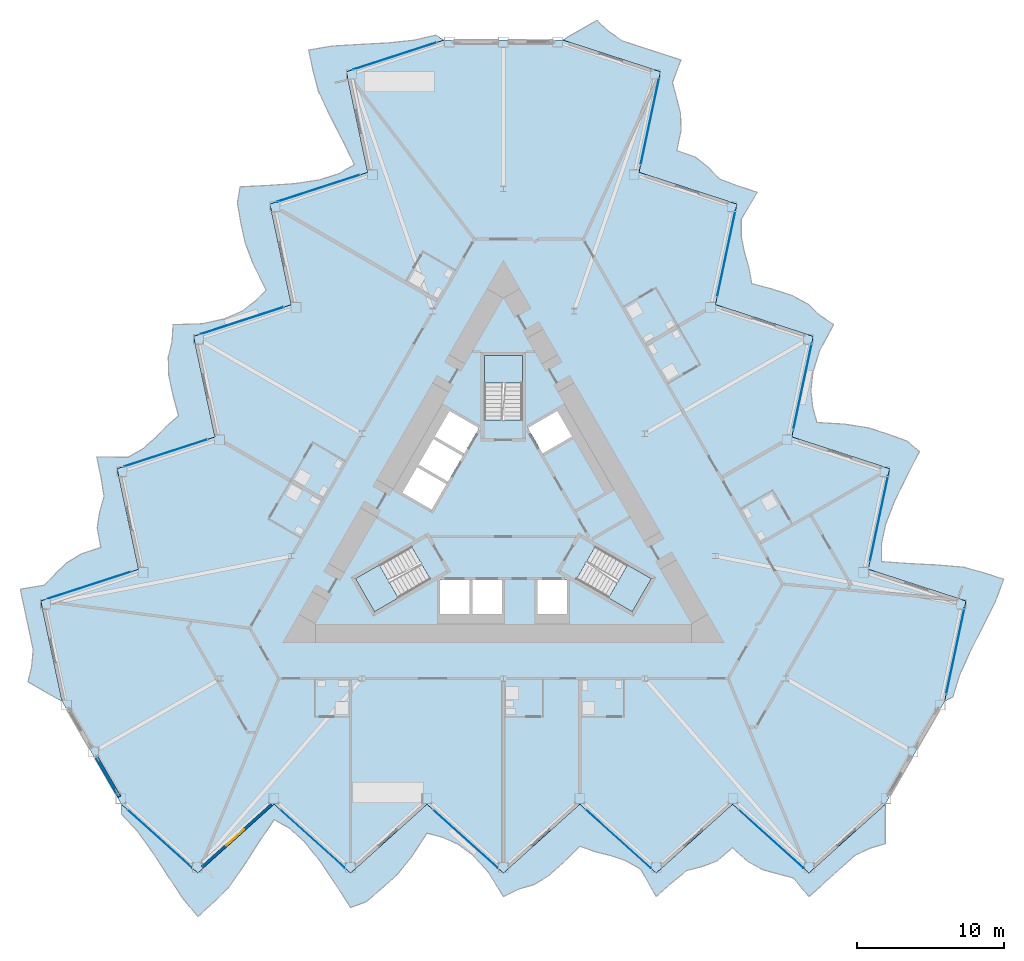
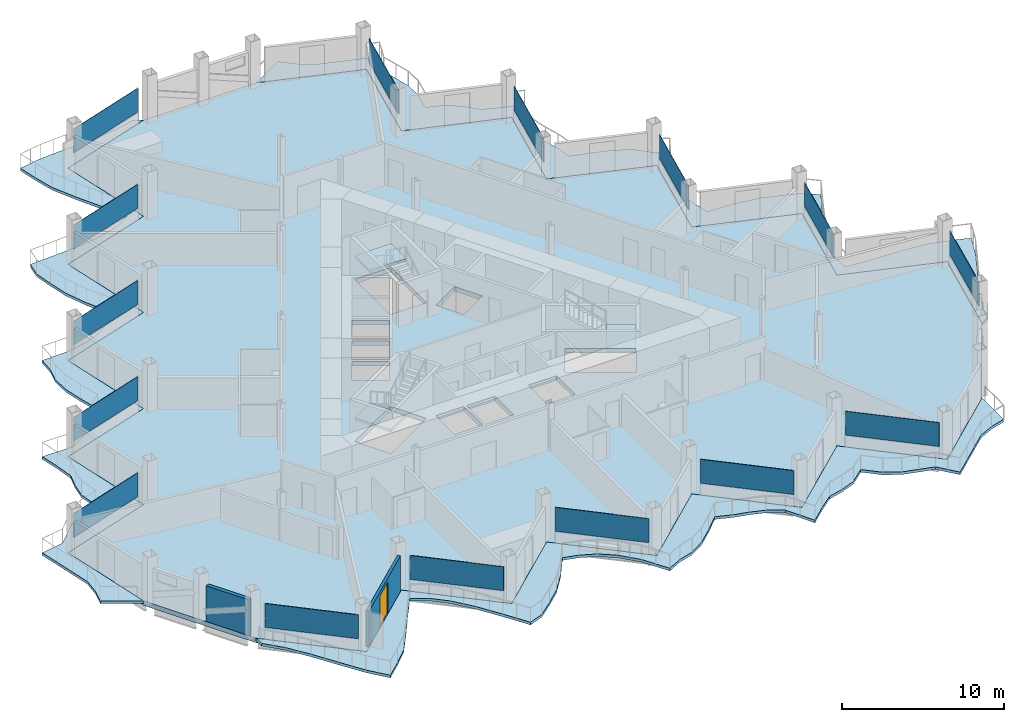
# One storey, part 10 of 23: 15 plates, 7 slabs, 2 walls, 1 door, 1 opening, 18 elements without a shape of their own.
"""IFC4 building model written with IfcOpenShell, lengths in metres."""

from ifc_helpers import new_model, si_unit, direction, frame, frame_2d, origin, origin_2d, place, context, subcontext, project, spatial, polyline, rectangle, outline, extrude, material, layer, layer_set, type_object, element, fill, aggregate, save


model = new_model("IFC4")

# Units and contexts
model_context = context("Model", 3, precision=1e-05, world=origin(), true_north=direction((0.0, 1.0)))
body_context = subcontext(model_context, "Body", "Model", "MODEL_VIEW")
ifc_project = project(units=[si_unit("LENGTHUNIT", "METRE"), si_unit("AREAUNIT", "SQUARE_METRE"), si_unit("VOLUMEUNIT", "CUBIC_METRE"), si_unit("PLANEANGLEUNIT", "RADIAN"), si_unit("MASSUNIT", "GRAM", prefix="KILO")], contexts=[model_context])

# Site, building, storey
site_placement = place(None, origin())
site = spatial("IfcSite", under=ifc_project, at=site_placement, CompositionType="ELEMENT")
building_placement = place(site_placement, origin())
building = spatial("IfcBuilding", under=site, at=building_placement, Name="Cormorant Prow Tower", CompositionType="ELEMENT")
storey_placement = place(building_placement, frame((0.0, 0.0, 259.800048828125)))
storey = spatial("IfcBuildingStorey", under=building, at=storey_placement, Name="L58", CompositionType="ELEMENT", Elevation=259.800048828125)

# Slabs
ifc_material_1 = material(Name="Concrete C40/50", Category="concrete")
ifc_layer_1 = layer(ifc_material_1, 0.199951171875)
ifc_layer_set_1 = layer_set([ifc_layer_1], Name="Concrete C40/50")
slab_type_1 = type_object("IfcSlabType", Name="Balcony slab 200", PredefinedType="FLOOR", material=ifc_layer_set_1)
slab_1_placement = place(storey_placement, frame((0.0, 0.0, -0.199951171875)))
element("IfcSlab", 1, at=slab_1_placement, inside=storey, type_object=slab_type_1, Name="Balcony slab S L58", PredefinedType="FLOOR", context=body_context, shape_type="SweptSolid", body=[
    extrude(outline(polyline([(-25.8974609375, -19.593505859375), (-25.8974609375, -20.243408203125), (-24.861572265625, -21.35888671875), (-23.82568359375, -22.7861328125), (-22.789794921875, -24.380859375), (-21.75390625, -25.949462890625), (-20.718017578125, -27.207275390625), (-19.68212890625, -26.2744140625), (-18.646240234375, -25.255615234375), (-17.6103515625, -23.767822265625), (-16.574462890625, -22.16064453125), (-15.53857421875, -20.630859375), (-14.502685546875, -21.21875), (-13.466796875, -22.15966796875), (-12.430908203125, -23.450927734375), (-11.39501953125, -24.98779296875), (-10.359130859375, -26.593994140625), (-9.322998046875, -26.20703125), (-8.287109375, -25.341796875), (-7.251220703125, -24.408935546875), (-6.21533203125, -23.126953125), (-5.179443359375, -21.552978515625), (-4.1435546875, -21.8271484375), (-3.107666015625, -22.2763671875), (-2.07177734375, -23.0419921875), (-1.035888671875, -24.1728515625), (0.0, -25.857177734375), (1.035888671875, -25.34326171875), (2.07177734375, -25.040771484375), (3.107666015625, -24.408935546875), (4.1435546875, -23.476318359375), (5.179443359375, -22.438232421875), (6.21533203125, -22.806884765625), (7.251220703125, -23.064208984375), (8.287109375, -23.40771484375), (9.322998046875, -24.009765625), (10.359130859375, -25.857177734375), (11.39501953125, -24.924560546875), (12.430908203125, -24.08447265625), (13.466796875, -23.82373046875), (14.502685546875, -23.427001953125), (15.53857421875, -22.54345703125), (16.574462890625, -23.476318359375), (17.6103515625, -24.03466796875), (18.646240234375, -24.3212890625), (19.68212890625, -24.599365234375), (20.718017578125, -25.857177734375), (21.75390625, -24.924560546875), (22.789794921875, -23.99169921875), (23.82568359375, -23.05908203125), (24.861572265625, -22.57470703125), (25.8974609375, -22.266357421875), (25.8974609375, -19.593505859375), (24.861572265625, -20.5263671875), (23.82568359375, -21.458984375), (22.789794921875, -22.3916015625), (21.75390625, -23.324462890625), (20.718017578125, -24.257080078125), (19.68212890625, -23.324462890625), (18.646240234375, -22.3916015625), (17.6103515625, -21.458984375), (16.574462890625, -20.5263671875), (15.53857421875, -19.593505859375), (14.502685546875, -20.5263671875), (13.466796875, -21.458984375), (12.430908203125, -22.3916015625), (11.39501953125, -23.324462890625), (10.359130859375, -24.257080078125), (9.322998046875, -23.324462890625), (8.287109375, -22.3916015625), (7.251220703125, -21.458984375), (6.21533203125, -20.5263671875), (5.179443359375, -19.593505859375), (4.1435546875, -20.5263671875), (3.107666015625, -21.458984375), (2.07177734375, -22.3916015625), (1.035888671875, -23.324462890625), (0.0, -24.257080078125), (-1.035888671875, -23.324462890625), (-2.07177734375, -22.3916015625), (-3.107666015625, -21.458984375), (-4.1435546875, -20.5263671875), (-5.179443359375, -19.593505859375), (-6.21533203125, -20.5263671875), (-7.251220703125, -21.458984375), (-8.287109375, -22.3916015625), (-9.322998046875, -23.324462890625), (-10.359130859375, -24.257080078125), (-11.39501953125, -23.324462890625), (-12.430908203125, -22.3916015625), (-13.466796875, -21.458984375), (-14.502685546875, -20.5263671875), (-15.53857421875, -19.593505859375), (-16.574462890625, -20.5263671875), (-17.6103515625, -21.458984375), (-18.646240234375, -22.3916015625), (-19.68212890625, -23.324462890625), (-20.718017578125, -24.257080078125), (-21.75390625, -23.324462890625), (-22.789794921875, -22.3916015625), (-23.82568359375, -21.458984375), (-24.861572265625, -20.5263671875), (-25.8974609375, -19.593505859375)])), origin(), (0.0, 0.0, 1.0), 0.199951171875),
])
slab_2_placement = place(storey_placement, frame((0.0, 0.0, -0.199951171875)))
element("IfcSlab", 2, at=slab_2_placement, inside=storey, type_object=slab_type_1, Name="Balcony slab ENE L58", PredefinedType="FLOOR", context=body_context, shape_type="SweptSolid", body=[
    extrude(outline(polyline([(29.917236328125, -12.631103515625), (30.480224609375, -12.30615234375), (30.92822265625, -10.851318359375), (31.646240234375, -9.240478515625), (32.50927734375, -7.546142578125), (33.349853515625, -5.86474609375), (33.921142578125, -4.3388671875), (32.595458984375, -3.907958984375), (31.195068359375, -3.520263671875), (29.388671875, -3.3671875), (27.478759765625, -3.273681640625), (25.63623046875, -3.141357421875), (25.62744140625, -1.9501953125), (25.924072265625, -0.582763671875), (26.5244140625, 0.9599609375), (27.337646484375, 2.625732421875), (28.210693359375, 4.325927734375), (27.357421875, 5.029541015625), (26.090087890625, 5.493896484375), (24.764404296875, 5.924560546875), (23.13623046875, 6.1806640625), (21.255126953125, 6.291015625), (20.974609375, 7.3251953125), (20.845703125, 8.44677734375), (20.990966796875, 9.726806640625), (21.452392578125, 11.189208984375), (22.39306640625, 12.928466796875), (21.429931640625, 13.56884765625), (20.650146484375, 14.314697265625), (19.5849609375, 14.895751953125), (18.25927734375, 15.32666015625), (16.84228515625, 15.70458984375), (16.6435546875, 16.7861328125), (16.3486328125, 17.81201171875), (16.128173828125, 18.880859375), (16.13134765625, 20.078857421875), (17.21337890625, 21.899658203125), (15.8876953125, 22.33056640625), (14.642333984375, 22.8076171875), (13.8984375, 23.57421875), (13.037109375, 24.273193359375), (11.75390625, 24.728515625), (12.043701171875, 26.092041015625), (12.009521484375, 27.268310546875), (11.73974609375, 28.308837890625), (11.462646484375, 29.344970703125), (12.033935546875, 30.870849609375), (10.708251953125, 31.3017578125), (9.382568359375, 31.732421875), (8.056884765625, 32.1630859375), (7.119384765625, 32.818115234375), (6.33447265625, 33.56103515625), (4.019775390625, 32.224609375), (5.345458984375, 31.7939453125), (6.671142578125, 31.36328125), (7.996826171875, 30.932373046875), (9.322509765625, 30.501708984375), (10.648193359375, 30.071044921875), (10.3583984375, 28.70751953125), (10.068603515625, 27.343994140625), (9.77880859375, 25.98046875), (9.489013671875, 24.616943359375), (9.19921875, 23.25341796875), (10.52490234375, 22.82275390625), (11.8505859375, 22.39208984375), (13.17626953125, 21.961181640625), (14.502197265625, 21.530517578125), (15.827880859375, 21.099853515625), (15.5380859375, 19.736328125), (15.248291015625, 18.372802734375), (14.958251953125, 17.00927734375), (14.66845703125, 15.645751953125), (14.378662109375, 14.2822265625), (15.704345703125, 13.8515625), (17.0302734375, 13.4208984375), (18.35595703125, 12.989990234375), (19.681640625, 12.559326171875), (21.00732421875, 12.128662109375), (20.717529296875, 10.76513671875), (20.427734375, 9.401611328125), (20.137939453125, 8.0380859375), (19.84814453125, 6.674560546875), (19.558349609375, 5.311279296875), (20.884033203125, 4.88037109375), (22.209716796875, 4.44970703125), (23.535400390625, 4.018798828125), (24.861083984375, 3.588134765625), (26.186767578125, 3.157470703125), (25.89697265625, 1.7939453125), (25.607177734375, 0.430419921875), (25.3173828125, -0.93310546875), (25.027587890625, -2.296630859375), (24.73779296875, -3.659912109375), (26.0634765625, -4.0908203125), (27.38916015625, -4.521484375), (28.71484375, -4.9521484375), (30.04052734375, -5.383056640625), (31.366455078125, -5.813720703125), (31.076416015625, -7.17724609375), (30.78662109375, -8.540771484375), (30.496826171875, -9.904296875), (30.20703125, -11.267578125), (29.917236328125, -12.631103515625)])), origin(), (0.0, 0.0, 1.0), 0.199951171875),
])
slab_3_placement = place(storey_placement, frame((0.0, 0.0, -0.199951171875)))
element("IfcSlab", 3, at=slab_3_placement, inside=storey, type_object=slab_type_1, Name="Balcony slab WNW L58", PredefinedType="FLOOR", context=body_context, shape_type="SweptSolid", body=[
    extrude(outline(polyline([(-4.019775390625, 32.224609375), (-4.58251953125, 32.5498046875), (-6.066650390625, 32.210205078125), (-7.820556640625, 32.02685546875), (-9.719482421875, 31.927001953125), (-11.595947265625, 31.814208984375), (-13.203125, 31.5458984375), (-12.913330078125, 30.182373046875), (-12.548828125, 28.77587890625), (-11.7783203125, 27.135009765625), (-10.904296875, 25.43408203125), (-10.09765625, 23.772216796875), (-11.124755859375, 23.1689453125), (-12.45751953125, 22.742431640625), (-14.09375, 22.490966796875), (-15.942626953125, 22.3623046875), (-17.8515625, 22.26806640625), (-18.034423828125, 21.177490234375), (-17.802978515625, 19.847900390625), (-17.51318359375, 18.484375), (-16.920654296875, 16.946044921875), (-16.07568359375, 15.261962890625), (-16.8310546875, 14.501953125), (-17.738037109375, 13.82958984375), (-18.919189453125, 13.315185546875), (-20.41650390625, 12.983642578125), (-22.39306640625, 12.928466796875), (-22.4658203125, 11.7744140625), (-22.721923828125, 10.72607421875), (-22.692626953125, 9.51318359375), (-22.40283203125, 8.149658203125), (-22.021728515625, 6.7333984375), (-22.85888671875, 6.020751953125), (-23.599853515625, 5.252197265625), (-24.415283203125, 4.52685546875), (-25.45458984375, 3.9306640625), (-27.572509765625, 3.95751953125), (-27.28271484375, 2.593994140625), (-27.0732421875, 1.27685546875), (-27.365234375, 0.249267578125), (-27.53955078125, -0.84619140625), (-27.29248046875, -2.18505859375), (-28.6181640625, -2.61572265625), (-29.619873046875, -3.233642578125), (-30.385986328125, -3.9873046875), (-31.144775390625, -4.74560546875), (-32.751953125, -5.013671875), (-32.462158203125, -6.377197265625), (-32.17236328125, -7.74072265625), (-31.882568359375, -9.104248046875), (-31.981201171875, -10.243408203125), (-32.23193359375, -11.294677734375), (-29.917236328125, -12.631103515625), (-30.20703125, -11.267578125), (-30.496826171875, -9.904296875), (-30.78662109375, -8.540771484375), (-31.076416015625, -7.17724609375), (-31.366455078125, -5.813720703125), (-30.04052734375, -5.383056640625), (-28.71484375, -4.9521484375), (-27.38916015625, -4.521484375), (-26.0634765625, -4.0908203125), (-24.73779296875, -3.659912109375), (-25.027587890625, -2.296630859375), (-25.3173828125, -0.93310546875), (-25.607177734375, 0.430419921875), (-25.89697265625, 1.7939453125), (-26.186767578125, 3.157470703125), (-24.861083984375, 3.588134765625), (-23.535400390625, 4.018798828125), (-22.209716796875, 4.44970703125), (-20.884033203125, 4.88037109375), (-19.558349609375, 5.311279296875), (-19.84814453125, 6.674560546875), (-20.137939453125, 8.0380859375), (-20.427734375, 9.401611328125), (-20.717529296875, 10.76513671875), (-21.00732421875, 12.128662109375), (-19.681640625, 12.559326171875), (-18.35595703125, 12.989990234375), (-17.0302734375, 13.4208984375), (-15.704345703125, 13.8515625), (-14.378662109375, 14.2822265625), (-14.66845703125, 15.645751953125), (-14.958251953125, 17.00927734375), (-15.248291015625, 18.372802734375), (-15.5380859375, 19.736328125), (-15.827880859375, 21.099853515625), (-14.502197265625, 21.530517578125), (-13.17626953125, 21.961181640625), (-11.8505859375, 22.39208984375), (-10.52490234375, 22.82275390625), (-9.19921875, 23.25341796875), (-9.489013671875, 24.616943359375), (-9.77880859375, 25.98046875), (-10.068603515625, 27.343994140625), (-10.3583984375, 28.70751953125), (-10.648193359375, 30.071044921875), (-9.322509765625, 30.501708984375), (-7.996826171875, 30.932373046875), (-6.671142578125, 31.36328125), (-5.345458984375, 31.7939453125), (-4.019775390625, 32.224609375)])), origin(), (0.0, 0.0, 1.0), 0.199951171875),
])

# Curtain wall, plate
ifc_material_2 = material(Name="Aluminium 6063-T6", Category="aluminium")
ifc_layer_2 = layer(ifc_material_2, 0.179931640625)
ifc_layer_set_2 = layer_set([ifc_layer_2], Name="Aluminium 6063-T6")
curtain_wall_type = type_object("IfcCurtainWallType", Name="Hotel unitised curtain wall 180", PredefinedType="NOTDEFINED", material=ifc_layer_set_2)
curtain_wall_1_placement = place(storey_placement, origin())
curtain_wall_1 = element("IfcCurtainWall", 4, at=curtain_wall_1_placement, inside=storey, type_object=curtain_wall_type, Name="Hotel curtain wall S00", PredefinedType="NOTDEFINED")
ifc_material_3 = material(Name="Clear glass", Category="glass")
ifc_layer_3 = layer(ifc_material_3, 0.028076171875)
ifc_layer_set_3 = layer_set([ifc_layer_3], Name="Clear glass")
plate_type = type_object("IfcPlateType", Name="Hotel glass panel 28", PredefinedType="CURTAIN_PANEL", material=ifc_layer_set_3)
plate_1_placement = place(storey_placement, frame((-23.285400390625, -21.9453125, 0.89990234375), z_axis=(0.0, 0.0, 1.0), x_axis=(0.743144829063, -0.669130602377, 0.0)))
plate_1 = element("IfcPlate", 5, at=plate_1_placement, type_object=plate_type, Name="Hotel glass panel S00", PredefinedType="CURTAIN_PANEL", context=body_context, shape_type="SweptSolid", body=[
    extrude(rectangle(XDim=5.90771484375, YDim=0.028076171875, at=origin_2d()), origin(), (0.0, 0.0, 1.0), 1.80078125),
])
aggregate(curtain_wall_1, [plate_1])

curtain_wall_2_placement = place(storey_placement, origin())
curtain_wall_2 = element("IfcCurtainWall", 6, at=curtain_wall_2_placement, inside=storey, type_object=curtain_wall_type, Name="Hotel curtain wall S02", PredefinedType="NOTDEFINED")
plate_2_placement = place(storey_placement, frame((-12.926513671875, -21.9453125, 0.89990234375), z_axis=(0.0, 0.0, 1.0), x_axis=(0.743144829063, -0.669130602377, 0.0)))
plate_2 = element("IfcPlate", 7, at=plate_2_placement, type_object=plate_type, Name="Hotel glass panel S02", PredefinedType="CURTAIN_PANEL", context=body_context, shape_type="SweptSolid", body=[
    extrude(rectangle(XDim=5.90771484375, YDim=0.028076171875, at=origin_2d()), origin(), (0.0, 0.0, 1.0), 1.80078125),
])
aggregate(curtain_wall_2, [plate_2])

curtain_wall_3_placement = place(storey_placement, origin())
curtain_wall_3 = element("IfcCurtainWall", 8, at=curtain_wall_3_placement, inside=storey, type_object=curtain_wall_type, Name="Hotel curtain wall S04", PredefinedType="NOTDEFINED")
plate_3_placement = place(storey_placement, frame((-2.5673828125, -21.9453125, 0.89990234375), z_axis=(0.0, 0.0, 1.0), x_axis=(0.743144829063, -0.669130602377, 0.0)))
plate_3 = element("IfcPlate", 9, at=plate_3_placement, type_object=plate_type, Name="Hotel glass panel S04", PredefinedType="CURTAIN_PANEL", context=body_context, shape_type="SweptSolid", body=[
    extrude(rectangle(XDim=5.90771484375, YDim=0.028076171875, at=origin_2d()), origin(), (0.0, 0.0, 1.0), 1.80078125),
])
aggregate(curtain_wall_3, [plate_3])

curtain_wall_4_placement = place(storey_placement, origin())
curtain_wall_4 = element("IfcCurtainWall", 10, at=curtain_wall_4_placement, inside=storey, type_object=curtain_wall_type, Name="Hotel curtain wall S06", PredefinedType="NOTDEFINED")
plate_4_placement = place(storey_placement, frame((7.79150390625, -21.9453125, 0.89990234375), z_axis=(0.0, 0.0, 1.0), x_axis=(0.743144829063, -0.669130602377, 0.0)))
plate_4 = element("IfcPlate", 11, at=plate_4_placement, type_object=plate_type, Name="Hotel glass panel S06", PredefinedType="CURTAIN_PANEL", context=body_context, shape_type="SweptSolid", body=[
    extrude(rectangle(XDim=5.90771484375, YDim=0.028076171875, at=origin_2d()), origin(), (0.0, 0.0, 1.0), 1.80078125),
])
aggregate(curtain_wall_4, [plate_4])

curtain_wall_5_placement = place(storey_placement, origin())
curtain_wall_5 = element("IfcCurtainWall", 12, at=curtain_wall_5_placement, inside=storey, type_object=curtain_wall_type, Name="Hotel curtain wall S08", PredefinedType="NOTDEFINED")
plate_5_placement = place(storey_placement, frame((18.150634765625, -21.9453125, 0.89990234375), z_axis=(0.0, 0.0, 1.0), x_axis=(0.743144829063, -0.669130602377, 0.0)))
plate_5 = element("IfcPlate", 13, at=plate_5_placement, type_object=plate_type, Name="Hotel glass panel S08", PredefinedType="CURTAIN_PANEL", context=body_context, shape_type="SweptSolid", body=[
    extrude(rectangle(XDim=5.90771484375, YDim=0.028076171875, at=origin_2d()), origin(), (0.0, 0.0, 1.0), 1.80078125),
])
aggregate(curtain_wall_5, [plate_5])

curtain_wall_6_placement = place(storey_placement, origin())
curtain_wall_6 = element("IfcCurtainWall", 14, at=curtain_wall_6_placement, inside=storey, type_object=curtain_wall_type, Name="Hotel curtain wall ENE00", PredefinedType="NOTDEFINED")
plate_6_placement = place(storey_placement, frame((30.64794921875, -9.193115234375, 0.89990234375), z_axis=(0.0, 0.0, 1.0), x_axis=(0.207911825822, 0.978147572038, 0.0)))
plate_6 = element("IfcPlate", 15, at=plate_6_placement, type_object=plate_type, Name="Hotel glass panel ENE00", PredefinedType="CURTAIN_PANEL", context=body_context, shape_type="SweptSolid", body=[
    extrude(rectangle(XDim=5.90771484375, YDim=0.028076171875, at=origin_2d()), origin(), (0.0, 0.0, 1.0), 1.80078125),
])
aggregate(curtain_wall_6, [plate_6])

curtain_wall_7_placement = place(storey_placement, origin())
curtain_wall_7 = element("IfcCurtainWall", 16, at=curtain_wall_7_placement, inside=storey, type_object=curtain_wall_type, Name="Hotel curtain wall ENE02", PredefinedType="NOTDEFINED")
plate_7_placement = place(storey_placement, frame((25.468505859375, -0.221923828125, 0.89990234375), z_axis=(0.0, 0.0, 1.0), x_axis=(0.207911688547, 0.978147601216, 0.0)))
plate_7 = element("IfcPlate", 17, at=plate_7_placement, type_object=plate_type, Name="Hotel glass panel ENE02", PredefinedType="CURTAIN_PANEL", context=body_context, shape_type="SweptSolid", body=[
    extrude(rectangle(XDim=5.90771484375, YDim=0.028076171875, at=origin_2d()), origin(), (0.0, 0.0, 1.0), 1.80078125),
])
aggregate(curtain_wall_7, [plate_7])

curtain_wall_8_placement = place(storey_placement, origin())
curtain_wall_8 = element("IfcCurtainWall", 18, at=curtain_wall_8_placement, inside=storey, type_object=curtain_wall_type, Name="Hotel curtain wall ENE04", PredefinedType="NOTDEFINED")
plate_8_placement = place(storey_placement, frame((20.2890625, 8.749267578125, 0.89990234375), z_axis=(0.0, 0.0, 1.0), x_axis=(0.207911825822, 0.978147572038, 0.0)))
plate_8 = element("IfcPlate", 19, at=plate_8_placement, type_object=plate_type, Name="Hotel glass panel ENE04", PredefinedType="CURTAIN_PANEL", context=body_context, shape_type="SweptSolid", body=[
    extrude(rectangle(XDim=5.90771484375, YDim=0.028076171875, at=origin_2d()), origin(), (0.0, 0.0, 1.0), 1.80078125),
])
aggregate(curtain_wall_8, [plate_8])

curtain_wall_9_placement = place(storey_placement, origin())
curtain_wall_9 = element("IfcCurtainWall", 20, at=curtain_wall_9_placement, inside=storey, type_object=curtain_wall_type, Name="Hotel curtain wall ENE06", PredefinedType="NOTDEFINED")
plate_9_placement = place(storey_placement, frame((15.109619140625, 17.720458984375, 0.89990234375), z_axis=(0.0, 0.0, 1.0), x_axis=(0.207911825822, 0.978147572038, 0.0)))
plate_9 = element("IfcPlate", 21, at=plate_9_placement, type_object=plate_type, Name="Hotel glass panel ENE06", PredefinedType="CURTAIN_PANEL", context=body_context, shape_type="SweptSolid", body=[
    extrude(rectangle(XDim=5.90771484375, YDim=0.028076171875, at=origin_2d()), origin(), (0.0, 0.0, 1.0), 1.80078125),
])
aggregate(curtain_wall_9, [plate_9])

curtain_wall_10_placement = place(storey_placement, origin())
curtain_wall_10 = element("IfcCurtainWall", 22, at=curtain_wall_10_placement, inside=storey, type_object=curtain_wall_type, Name="Hotel curtain wall ENE08", PredefinedType="NOTDEFINED")
plate_10_placement = place(storey_placement, frame((9.929931640625, 26.691650390625, 0.89990234375), z_axis=(0.0, 0.0, 1.0), x_axis=(0.207911688547, 0.978147601216, 0.0)))
plate_10 = element("IfcPlate", 23, at=plate_10_placement, type_object=plate_type, Name="Hotel glass panel ENE08", PredefinedType="CURTAIN_PANEL", context=body_context, shape_type="SweptSolid", body=[
    extrude(rectangle(XDim=5.90771484375, YDim=0.028076171875, at=origin_2d()), origin(), (0.0, 0.0, 1.0), 1.80078125),
])
aggregate(curtain_wall_10, [plate_10])

curtain_wall_11_placement = place(storey_placement, origin())
curtain_wall_11 = element("IfcCurtainWall", 24, at=curtain_wall_11_placement, inside=storey, type_object=curtain_wall_type, Name="Hotel curtain wall WNW00", PredefinedType="NOTDEFINED")
plate_11_placement = place(storey_placement, frame((-7.362548828125, 31.138427734375, 0.89990234375), z_axis=(0.0, 0.0, 1.0), x_axis=(-0.951056534174, -0.309016939349, 0.0)))
plate_11 = element("IfcPlate", 25, at=plate_11_placement, type_object=plate_type, Name="Hotel glass panel WNW00", PredefinedType="CURTAIN_PANEL", context=body_context, shape_type="SweptSolid", body=[
    extrude(rectangle(XDim=5.90771484375, YDim=0.028076171875, at=origin_2d()), origin(), (0.0, 0.0, 1.0), 1.80078125),
])
aggregate(curtain_wall_11, [plate_11])

curtain_wall_12_placement = place(storey_placement, origin())
curtain_wall_12 = element("IfcCurtainWall", 26, at=curtain_wall_12_placement, inside=storey, type_object=curtain_wall_type, Name="Hotel curtain wall WNW02", PredefinedType="NOTDEFINED")
plate_12_placement = place(storey_placement, frame((-12.5419921875, 22.16748046875, 0.89990234375), z_axis=(0.0, 0.0, 1.0), x_axis=(-0.951056534174, -0.309016939349, 0.0)))
plate_12 = element("IfcPlate", 27, at=plate_12_placement, type_object=plate_type, Name="Hotel glass panel WNW02", PredefinedType="CURTAIN_PANEL", context=body_context, shape_type="SweptSolid", body=[
    extrude(rectangle(XDim=5.90771484375, YDim=0.028076171875, at=origin_2d()), origin(), (0.0, 0.0, 1.0), 1.80078125),
])
aggregate(curtain_wall_12, [plate_12])

curtain_wall_13_placement = place(storey_placement, origin())
curtain_wall_13 = element("IfcCurtainWall", 28, at=curtain_wall_13_placement, inside=storey, type_object=curtain_wall_type, Name="Hotel curtain wall WNW04", PredefinedType="NOTDEFINED")
plate_13_placement = place(storey_placement, frame((-17.7216796875, 13.1962890625, 0.89990234375), z_axis=(0.0, 0.0, 1.0), x_axis=(-0.951056492009, -0.309017069121, 0.0)))
plate_13 = element("IfcPlate", 29, at=plate_13_placement, type_object=plate_type, Name="Hotel glass panel WNW04", PredefinedType="CURTAIN_PANEL", context=body_context, shape_type="SweptSolid", body=[
    extrude(rectangle(XDim=5.90771484375, YDim=0.028076171875, at=origin_2d()), origin(), (0.0, 0.0, 1.0), 1.80078125),
])
aggregate(curtain_wall_13, [plate_13])

curtain_wall_14_placement = place(storey_placement, origin())
curtain_wall_14 = element("IfcCurtainWall", 30, at=curtain_wall_14_placement, inside=storey, type_object=curtain_wall_type, Name="Hotel curtain wall WNW06", PredefinedType="NOTDEFINED")
plate_14_placement = place(storey_placement, frame((-22.901123046875, 4.22509765625, 0.89990234375), z_axis=(0.0, 0.0, 1.0), x_axis=(-0.951056534174, -0.309016939349, 0.0)))
plate_14 = element("IfcPlate", 31, at=plate_14_placement, type_object=plate_type, Name="Hotel glass panel WNW06", PredefinedType="CURTAIN_PANEL", context=body_context, shape_type="SweptSolid", body=[
    extrude(rectangle(XDim=5.90771484375, YDim=0.028076171875, at=origin_2d()), origin(), (0.0, 0.0, 1.0), 1.80078125),
])
aggregate(curtain_wall_14, [plate_14])

curtain_wall_15_placement = place(storey_placement, origin())
curtain_wall_15 = element("IfcCurtainWall", 32, at=curtain_wall_15_placement, inside=storey, type_object=curtain_wall_type, Name="Hotel curtain wall WNW08", PredefinedType="NOTDEFINED")
plate_15_placement = place(storey_placement, frame((-28.08056640625, -4.74609375, 0.89990234375), z_axis=(0.0, 0.0, 1.0), x_axis=(-0.951056534174, -0.309016939349, 0.0)))
plate_15 = element("IfcPlate", 33, at=plate_15_placement, type_object=plate_type, Name="Hotel glass panel WNW08", PredefinedType="CURTAIN_PANEL", context=body_context, shape_type="SweptSolid", body=[
    extrude(rectangle(XDim=5.90771484375, YDim=0.028076171875, at=origin_2d()), origin(), (0.0, 0.0, 1.0), 1.80078125),
])
aggregate(curtain_wall_15, [plate_15])

# Slab
ifc_material_4 = material(Name="Concrete C40/50", Category="concrete")
ifc_layer_4 = layer(ifc_material_4, 0.35009765625)
ifc_layer_set_4 = layer_set([ifc_layer_4], Name="Concrete C40/50")
slab_type_2 = type_object("IfcSlabType", Name="Post-tensioned flat slab 350", PredefinedType="FLOOR", material=ifc_layer_set_4)
slab_4_placement = place(storey_placement, frame((0.0, 0.0, -0.35009765625)))
element("IfcSlab", 34, at=slab_4_placement, inside=storey, type_object=slab_type_2, Name="Floor slab L58", PredefinedType="FLOOR", context=body_context, shape_type="SweptSolid", body=[
    extrude(outline(polyline([(-9.19921875, 23.25341796875), (-15.827880859375, 21.099853515625), (-14.378662109375, 14.2822265625), (-21.00732421875, 12.128662109375), (-19.558349609375, 5.311279296875), (-26.186767578125, 3.157470703125), (-24.73779296875, -3.659912109375), (-31.366455078125, -5.813720703125), (-29.917236328125, -12.631103515625), (-27.907470703125, -16.1123046875), (-25.8974609375, -19.593505859375), (-20.718017578125, -24.257080078125), (-15.53857421875, -19.593505859375), (-10.359130859375, -24.257080078125), (-5.179443359375, -19.593505859375), (0.0, -24.257080078125), (5.179443359375, -19.593505859375), (10.359130859375, -24.257080078125), (15.53857421875, -19.593505859375), (20.718017578125, -24.257080078125), (25.8974609375, -19.593505859375), (27.907470703125, -16.1123046875), (29.917236328125, -12.631103515625), (31.366455078125, -5.813720703125), (24.73779296875, -3.659912109375), (26.186767578125, 3.157470703125), (19.558349609375, 5.311279296875), (21.00732421875, 12.128662109375), (14.378662109375, 14.2822265625), (15.827880859375, 21.099853515625), (9.19921875, 23.25341796875), (10.648193359375, 30.071044921875), (4.019775390625, 32.224609375), (0.0, 32.224609375), (-4.019775390625, 32.224609375), (-10.648193359375, 30.071044921875), (-9.19921875, 23.25341796875)]), holes=[polyline([(-4.300048828125, -4.39990234375), (-2.300048828125, -4.39990234375), (-2.300048828125, -6.699951171875), (-4.300048828125, -6.699951171875), (-4.300048828125, -4.39990234375)]), polyline([(-0.10009765625, -4.39990234375), (-0.10009765625, -6.699951171875), (-2.10009765625, -6.699951171875), (-2.10009765625, -4.39990234375), (-0.10009765625, -4.39990234375)]), polyline([(4.300048828125, -6.699951171875), (2.300048828125, -6.699951171875), (2.300048828125, -4.39990234375), (4.300048828125, -4.39990234375), (4.300048828125, -6.699951171875)]), polyline([(4.65234375, 5.341796875), (2.660400390625, 4.19189453125), (1.660400390625, 5.923828125), (3.65234375, 7.073974609375), (4.65234375, 5.341796875)]), polyline([(-1.660400390625, 5.923828125), (-2.660400390625, 4.19189453125), (-4.65234375, 5.341796875), (-3.65234375, 7.073974609375), (-1.660400390625, 5.923828125)]), polyline([(-3.760498046875, 2.28662109375), (-5.75244140625, 3.4365234375), (-4.75244140625, 5.168701171875), (-2.760498046875, 4.018798828125), (-3.760498046875, 2.28662109375)]), polyline([(-6.852294921875, 1.53125), (-5.852294921875, 3.263427734375), (-3.860595703125, 2.11328125), (-4.860595703125, 0.38134765625), (-6.852294921875, 1.53125)]), polyline([(-4.947509765625, -4.3505859375), (-8.738037109375, -6.5390625), (-10.031982421875, -4.2978515625), (-6.241455078125, -2.109375), (-4.947509765625, -4.3505859375)]), polyline([(10.031982421875, -4.2978515625), (8.738037109375, -6.5390625), (4.947509765625, -4.3505859375), (6.241455078125, -2.109375), (10.031982421875, -4.2978515625)]), polyline([(1.2939453125, 10.8369140625), (1.2939453125, 6.459716796875), (-1.2939453125, 6.459716796875), (-1.2939453125, 10.8369140625), (1.2939453125, 10.8369140625)])]), origin(), (0.0, 0.0, 1.0), 0.35009765625),
])

# Stair, slab
ifc_material_5 = material(Name="Exit stair 20 risers")
stair_type = type_object("IfcStairType", Name="Exit stair 20 risers", PredefinedType="HALF_TURN_STAIR", material=ifc_material_5)
stair_1_placement = place(storey_placement, origin())
stair_1 = element("IfcStair", 35, at=stair_1_placement, inside=storey, type_object=stair_type, Name="L58 Exit stair ST1", PredefinedType="HALF_TURN_STAIR")
ifc_material_6 = material(Name="Concrete 5000 psi", Category="concrete")
ifc_layer_5 = layer(ifc_material_6, 0.199951171875)
ifc_layer_set_5 = layer_set([ifc_layer_5], Name="Concrete 5000 psi")
slab_type_3 = type_object("IfcSlabType", Name="Stair landing 200", PredefinedType="LANDING", material=ifc_layer_set_5)
slab_5_placement = place(storey_placement, frame((0.0, 0.0, 1.599853515625)))
slab_5 = element("IfcSlab", 36, at=slab_5_placement, type_object=slab_type_3, Name="ST1 landing 1", PredefinedType="LANDING", context=body_context, shape_type="SweptSolid", body=[
    extrude(outline(polyline([(-8.416748046875, -3.365234375), (-10.031982421875, -4.2978515625), (-8.738037109375, -6.5390625), (-7.122802734375, -5.6064453125), (-8.416748046875, -3.365234375)])), origin(), (0.0, 0.0, 1.0), 0.2001953125),
])
aggregate(stair_1, [slab_5])

stair_2_placement = place(storey_placement, origin())
stair_2 = element("IfcStair", 37, at=stair_2_placement, inside=storey, type_object=stair_type, Name="L58 Exit stair ST2", PredefinedType="HALF_TURN_STAIR")
slab_6_placement = place(storey_placement, frame((0.0, 0.0, 1.599853515625)))
slab_6 = element("IfcSlab", 38, at=slab_6_placement, type_object=slab_type_3, Name="ST2 landing 1", PredefinedType="LANDING", context=body_context, shape_type="SweptSolid", body=[
    extrude(outline(polyline([(7.122802734375, -5.6064453125), (8.738037109375, -6.5390625), (10.031982421875, -4.2978515625), (8.416748046875, -3.365234375), (7.122802734375, -5.6064453125)])), origin(), (0.0, 0.0, 1.0), 0.2001953125),
])
aggregate(stair_2, [slab_6])

stair_3_placement = place(storey_placement, origin())
stair_3 = element("IfcStair", 39, at=stair_3_placement, inside=storey, type_object=stair_type, Name="L58 Exit stair ST3", PredefinedType="HALF_TURN_STAIR")
slab_7_placement = place(storey_placement, frame((0.0, 0.0, 1.599853515625)))
slab_7 = element("IfcSlab", 40, at=slab_7_placement, type_object=slab_type_3, Name="ST3 landing 1", PredefinedType="LANDING", context=body_context, shape_type="SweptSolid", body=[
    extrude(outline(polyline([(1.2939453125, 8.971923828125), (1.2939453125, 10.8369140625), (-1.2939453125, 10.8369140625), (-1.2939453125, 8.971923828125), (1.2939453125, 8.971923828125)])), origin(), (0.0, 0.0, 1.0), 0.2001953125),
])
aggregate(stair_3, [slab_7])

# Wall
ifc_material_7 = material(Name="Terracotta", Category="masonry")
ifc_layer_6 = layer(ifc_material_7, 0.25)
ifc_layer_set_6 = layer_set([ifc_layer_6], Name="Terracotta")
wall_type_1 = type_object("IfcWallType", Name="Terracotta bay wall 250", PredefinedType="SOLIDWALL", material=ifc_layer_set_6)
wall_1_placement = place(storey_placement, frame((-27.57568359375, -16.436767578125, 0.0), z_axis=(0.0, 0.0, 1.0), x_axis=(0.499976998774, -0.866038683141, 0.0)))
element("IfcWall", 41, at=wall_1_placement, inside=storey, type_object=wall_type_1, Name="Terracotta bay wall WSW01", PredefinedType="SOLIDWALL", context=body_context, shape_type="SweptSolid", body=[
    extrude(rectangle(XDim=3.072021484375, YDim=0.25, at=frame_2d((1.5361328125, 0.0))), origin(), (0.0, 0.0, 1.0), 2.700927734375),
])

# Wall, opening, door
ifc_material_8 = material(Name="Terracotta", Category="masonry")
ifc_layer_7 = layer(ifc_material_8, 0.199951171875)
ifc_layer_set_7 = layer_set([ifc_layer_7], Name="Terracotta")
wall_type_2 = type_object("IfcWallType", Name="Terracotta jamb wall 200", PredefinedType="SOLIDWALL", material=ifc_layer_set_7)
wall_2_placement = place(storey_placement, frame((-20.41259765625, -23.84765625, 0.0), z_axis=(0.0, 0.0, 1.0), x_axis=(0.74314024121, 0.669135697668, 0.0)))
wall_2 = element("IfcWall", 42, at=wall_2_placement, inside=storey, type_object=wall_type_2, Name="Terracotta jamb wall S01", PredefinedType="SOLIDWALL", context=body_context, shape_type="SweptSolid", body=[
    extrude(rectangle(XDim=6.31103515625, YDim=0.199951171875, at=frame_2d((3.155517578125, 0.0))), origin(), (0.0, 0.0, 1.0), 2.700927734375),
])
opening_placement = place(wall_2_placement, frame((2.183837890625, 0.0, 0.0)))
opening = element("IfcOpeningElement", 43, at=opening_placement, cuts=wall_2, Name="Opening ED58.01", PredefinedType="OPENING", context=body_context, shape_type="SweptSolid", body=[
    extrude(rectangle(XDim=1.60009765625, YDim=2.39990234375, at=frame_2d((0.800048828125, 1.199951171875))), frame((0.0, 0.10986328125, 0.0), z_axis=(0.0, -1.0, 0.0), x_axis=(1.0, 0.0, 0.0)), (0.0, 0.0, 1.0), 0.219970703125),
])
ifc_material_9 = material(Name="Aluminium 6063-T6", Category="aluminium")
door_type = type_object("IfcDoorType", Name="Balcony door 1600x2400", OperationType="DOUBLE_DOOR_SINGLE_SWING", PredefinedType="DOOR", material=ifc_material_9)
door_placement = place(opening_placement, origin())
door = element("IfcDoor", 44, at=door_placement, inside=storey, type_object=door_type, Name="Balcony door S01 ED58.01", OperationType="DOUBLE_DOOR_SINGLE_SWING", OverallHeight=2.39990234375, OverallWidth=1.60009765625, PredefinedType="DOOR", context=body_context, shape_type="SweptSolid", body=[
    extrude(rectangle(XDim=1.60009765625, YDim=2.39990234375, at=frame_2d((0.800048828125, 1.199951171875))), frame((0.0, 0.02490234375, 0.0), z_axis=(0.0, -1.0, 0.0), x_axis=(1.0, 0.0, 0.0)), (0.0, 0.0, 1.0), 0.050048828125),
])
fill(opening, door)

save(model, "model.ifc")
